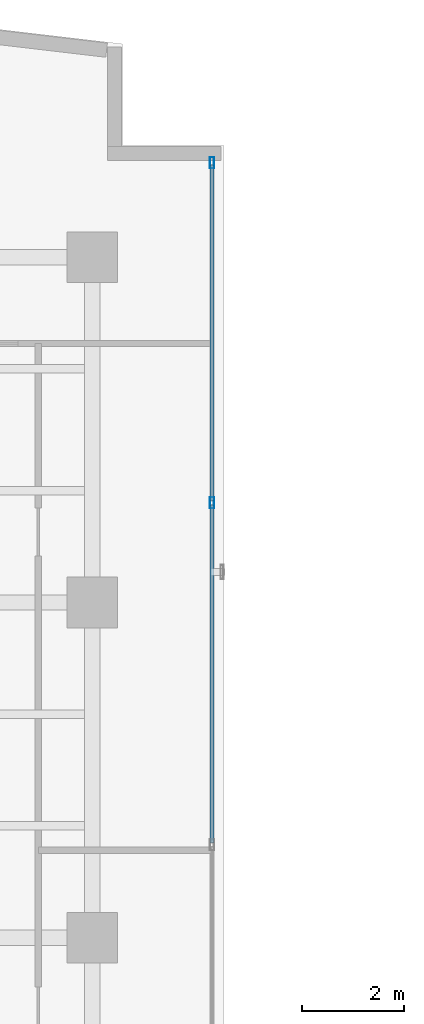
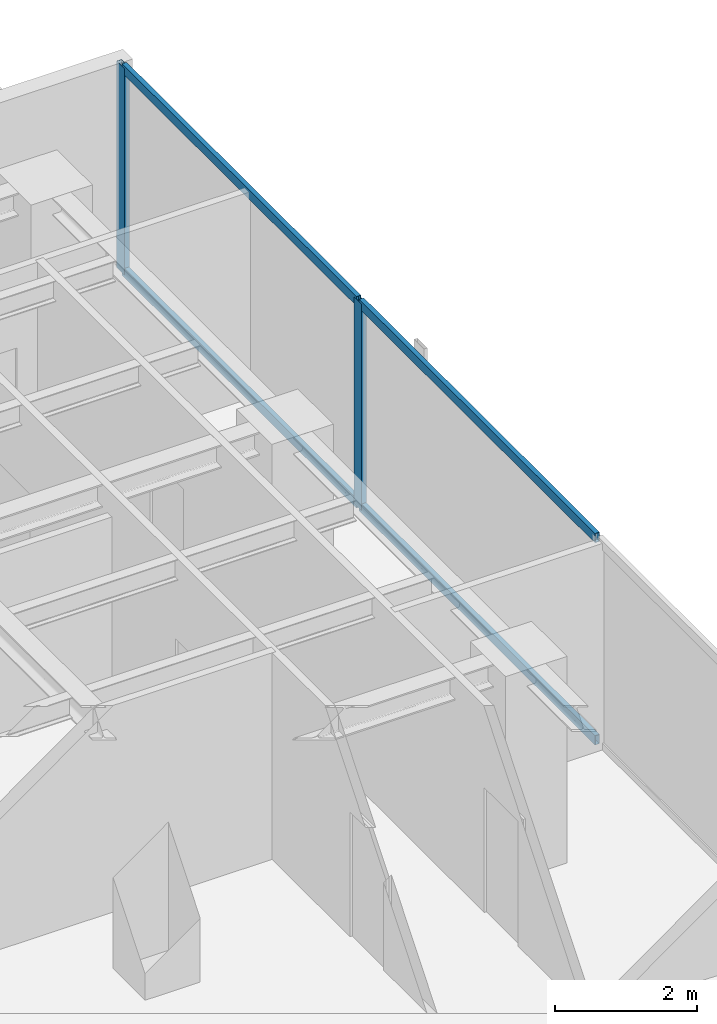
# One storey, part 14 of 23: 6 members, 1 element without a shape of its own.
"""IFC4 building model written with IfcOpenShell, lengths in metres."""

from ifc_helpers import new_model, si_unit, direction, frame, origin, origin_with_axes, origin_2d, place, context, subcontext, project, spatial, hollow_rectangle, extrude, source, transform, mapped, material, layer, layer_set, material_profile, profile_set, type_object, element, aggregate, save


model = new_model("IFC4")

# Units and contexts
model_context = context("Model", 3, precision=1e-05, world=origin(), true_north=direction((0.0, 1.0)))
body_context = subcontext(model_context, "Body", "Model", "MODEL_VIEW")
ifc_project = project(units=[si_unit("LENGTHUNIT", "METRE"), si_unit("AREAUNIT", "SQUARE_METRE"), si_unit("VOLUMEUNIT", "CUBIC_METRE"), si_unit("PLANEANGLEUNIT", "RADIAN"), si_unit("MASSUNIT", "GRAM", prefix="KILO")], contexts=[model_context])

# Site, building, storey
site_placement = place(None, origin())
site = spatial("IfcSite", under=ifc_project, at=site_placement, CompositionType="ELEMENT")
building_placement = place(site_placement, origin())
building = spatial("IfcBuilding", under=site, at=building_placement, Name="Kolvaren Waterfront Exchange", CompositionType="ELEMENT")
storey_placement = place(building_placement, frame((0.0, 0.0, 227.300048828125)))
storey = spatial("IfcBuildingStorey", under=building, at=storey_placement, Name="L58", CompositionType="ELEMENT", Elevation=227.300048828125)

# Curtain wall, members
ifc_material_1 = material(Name="Anodised bronze aluminium 6063-T6", Category="aluminium")
ifc_layer = layer(ifc_material_1, 0.219970703125, Name="Anodised bronze aluminium 6063-T6")
ifc_layer_set = layer_set([ifc_layer], Name="Anodised bronze aluminium 6063-T6")
curtain_wall_type = type_object("IfcCurtainWallType", Name="ARC-CW-SYS1", PredefinedType="USERDEFINED", material=ifc_layer_set)
curtain_wall_placement = place(storey_placement, origin())
curtain_wall = element("IfcCurtainWall", 1, at=curtain_wall_placement, inside=storey, type_object=curtain_wall_type, Name="L58 stick curtain wall CW1 (CW-L58-NE)", ObjectType="STICK CURTAIN WALL", PredefinedType="USERDEFINED")
ifc_material_2 = material(Name="Anodised aluminium 6063-T6", Category="aluminium")
ifc_material_profile_1 = material_profile(ifc_material_2, hollow_rectangle(XDim=0.080078125, YDim=0.219970703125, WallThickness=0.0048828125, at=origin_2d()), Name="ALU-MUL-220x80x5")
ifc_profile_set_1 = profile_set([ifc_material_profile_1], Name="Anodised aluminium 6063-T6")
member_type_1 = type_object("IfcMemberType", Name="ARC-CWM-220", PredefinedType="MULLION", material=ifc_profile_set_1)
shared_shape_1 = source(origin_with_axes(), body_context, "Body", "SweptSolid", [
    extrude(hollow_rectangle(XDim=0.080078125, YDim=0.219970703125, WallThickness=0.0048828125, at=origin_2d()), origin(), (0.0, 0.0, 1.0), 3.56005859375),
])
member_1_placement = place(storey_placement, frame((21.159912109375, 39.763427734375, 0.0), z_axis=(0.0, 0.0, 1.0), x_axis=(-1.0, 0.0, 0.0)))
member_1 = element("IfcMember", 2, at=member_1_placement, type_object=member_type_1, Name="CW1 mullion 3", PredefinedType="MULLION", context=body_context, shape_type="MappedRepresentation", body=[
    mapped(shared_shape_1, transform((0.0, 0.0, 0.0), x_axis=(1.0, 0.0, 0.0), y_axis=(0.0, 1.0, 0.0), z_axis=(0.0, 0.0, 1.0), scale=1.0)),
])
member_2_placement = place(storey_placement, frame((21.159912109375, 46.4599609375, 0.0), z_axis=(0.0, 0.0, 1.0), x_axis=(-1.0, 0.0, 0.0)))
member_2 = element("IfcMember", 3, at=member_2_placement, type_object=member_type_1, Name="CW1 mullion 4", PredefinedType="MULLION", context=body_context, shape_type="MappedRepresentation", body=[
    mapped(shared_shape_1, transform((0.0, 0.0, 0.0), x_axis=(1.0, 0.0, 0.0), y_axis=(0.0, 1.0, 0.0), z_axis=(0.0, 0.0, 1.0), scale=1.0)),
])
ifc_material_profile_2 = material_profile(ifc_material_2, hollow_rectangle(XDim=0.074951171875, YDim=0.159912109375, WallThickness=0.00439453125, at=origin_2d()), Name="ALU-TRN-160x75x4.5")
ifc_profile_set_2 = profile_set([ifc_material_profile_2], Name="Anodised aluminium 6063-T6")
member_type_2 = type_object("IfcMemberType", Name="ARC-CWT-160", PredefinedType="USERDEFINED", material=ifc_profile_set_2)
shared_shape_2 = source(origin_with_axes(), body_context, "Body", "SweptSolid", [
    extrude(hollow_rectangle(XDim=0.074951171875, YDim=0.159912109375, WallThickness=0.00439453125, at=origin_2d()), origin(), (0.0, 0.0, 1.0), 6.65673828125),
])
member_3_placement = place(storey_placement, frame((21.159912109375, 33.066650390625, 0.037353515625), z_axis=(0.0, 1.0, 0.0), x_axis=(-1.0, 0.0, 0.0)))
member_3 = element("IfcMember", 4, at=member_3_placement, type_object=member_type_2, Name="CW1 transom 2.1", ObjectType="TRANSOM", PredefinedType="USERDEFINED", context=body_context, shape_type="MappedRepresentation", body=[
    mapped(shared_shape_2, transform((0.0, 0.0, 0.0), x_axis=(1.0, 0.0, 0.0), y_axis=(0.0, 1.0, 0.0), z_axis=(0.0, 0.0, 1.0), scale=1.0)),
])
member_4_placement = place(storey_placement, frame((21.159912109375, 33.066650390625, 3.5224609375), z_axis=(0.0, 1.0, 0.0), x_axis=(-1.0, 0.0, 0.0)))
member_4 = element("IfcMember", 5, at=member_4_placement, type_object=member_type_2, Name="CW1 transom 2.2", ObjectType="TRANSOM", PredefinedType="USERDEFINED", context=body_context, shape_type="MappedRepresentation", body=[
    mapped(shared_shape_2, transform((0.0, 0.0, 0.0), x_axis=(1.0, 0.0, 0.0), y_axis=(0.0, 1.0, 0.0), z_axis=(0.0, 0.0, 1.0), scale=1.0)),
])
shared_shape_3 = source(origin_with_axes(), body_context, "Body", "SweptSolid", [
    extrude(hollow_rectangle(XDim=0.074951171875, YDim=0.159912109375, WallThickness=0.00439453125, at=origin_2d()), origin(), (0.0, 0.0, 1.0), 6.61669921875),
])
member_5_placement = place(storey_placement, frame((21.159912109375, 39.80322265625, 0.037353515625), z_axis=(0.0, 1.0, 0.0), x_axis=(-1.0, 0.0, 0.0)))
member_5 = element("IfcMember", 6, at=member_5_placement, type_object=member_type_2, Name="CW1 transom 3.1", ObjectType="TRANSOM", PredefinedType="USERDEFINED", context=body_context, shape_type="MappedRepresentation", body=[
    mapped(shared_shape_3, transform((0.0, 0.0, 0.0), x_axis=(1.0, 0.0, 0.0), y_axis=(0.0, 1.0, 0.0), z_axis=(0.0, 0.0, 1.0), scale=1.0)),
])
member_6_placement = place(storey_placement, frame((21.159912109375, 39.80322265625, 3.5224609375), z_axis=(0.0, 1.0, 0.0), x_axis=(-1.0, 0.0, 0.0)))
member_6 = element("IfcMember", 7, at=member_6_placement, type_object=member_type_2, Name="CW1 transom 3.2", ObjectType="TRANSOM", PredefinedType="USERDEFINED", context=body_context, shape_type="MappedRepresentation", body=[
    mapped(shared_shape_3, transform((0.0, 0.0, 0.0), x_axis=(1.0, 0.0, 0.0), y_axis=(0.0, 1.0, 0.0), z_axis=(0.0, 0.0, 1.0), scale=1.0)),
])
aggregate(curtain_wall, [member_1, member_2, member_3, member_4, member_5, member_6])

save(model, "model.ifc")
